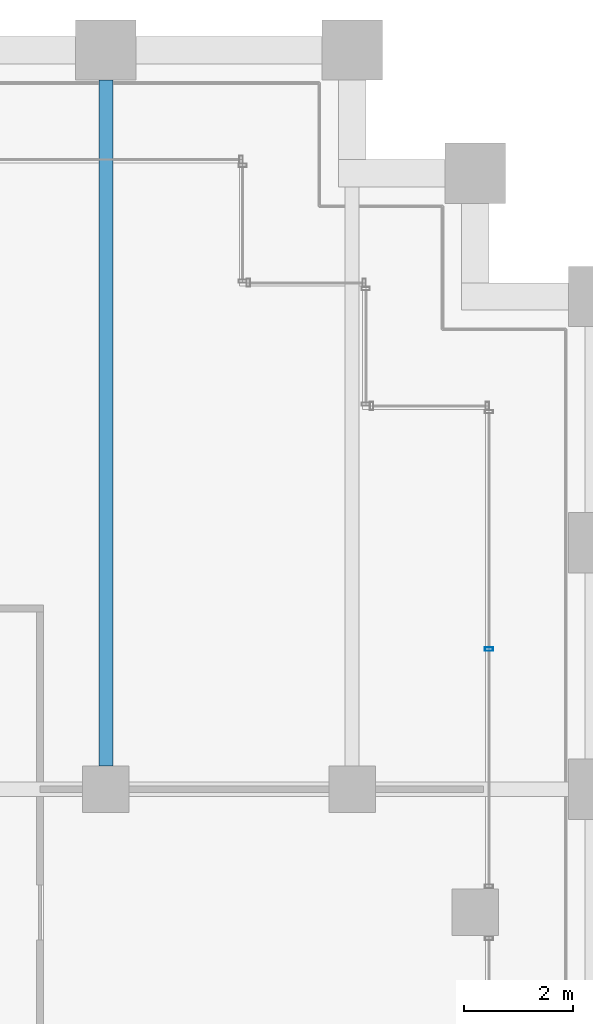
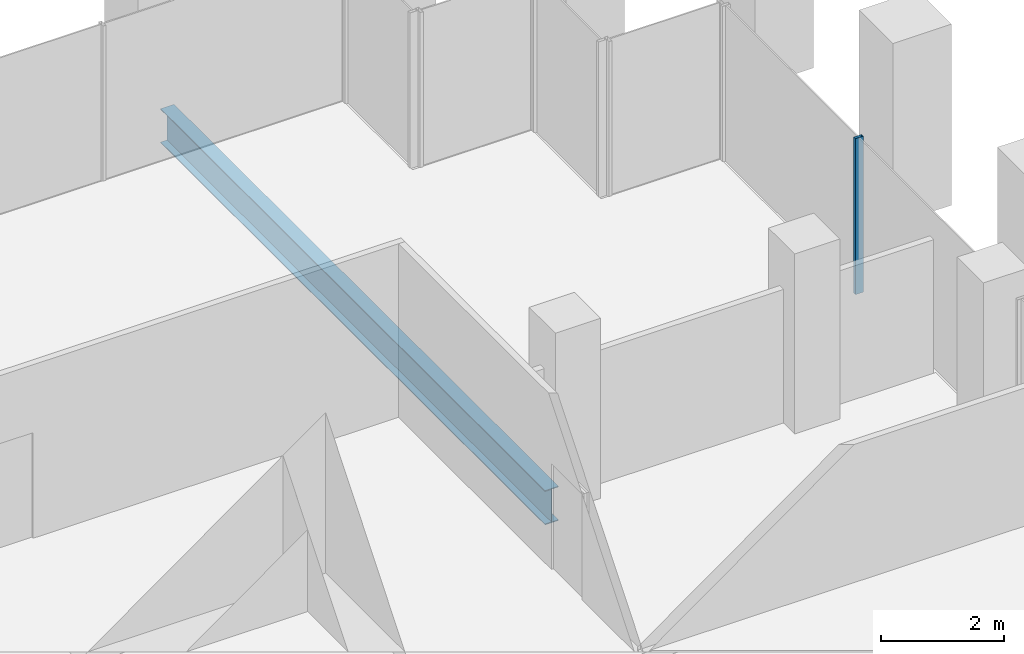
# One storey, part 30 of 56: 1 beam, 1 member, 1 element without a shape of its own.
"""IFC4 building model written with IfcOpenShell, lengths in metres."""

from ifc_helpers import new_model, si_unit, direction, frame, origin, origin_2d, place, context, subcontext, project, spatial, hollow_rectangle, i_section, extrude, material, material_profile, profile_set, type_object, element, aggregate, save


model = new_model("IFC4")

# Units and contexts
model_context = context("Model", 3, precision=1e-05, world=origin(), true_north=direction((0.0, 1.0)))
body_context = subcontext(model_context, "Body", "Model", "MODEL_VIEW")
ifc_project = project(units=[si_unit("LENGTHUNIT", "METRE"), si_unit("AREAUNIT", "SQUARE_METRE"), si_unit("VOLUMEUNIT", "CUBIC_METRE"), si_unit("PLANEANGLEUNIT", "RADIAN"), si_unit("MASSUNIT", "GRAM", prefix="KILO")], contexts=[model_context])

# Site, building, storey
site_placement = place(None, origin())
site = spatial("IfcSite", under=ifc_project, at=site_placement, CompositionType="ELEMENT")
building_placement = place(site_placement, origin())
building = spatial("IfcBuilding", under=site, at=building_placement, Name="Altepetl Exchange Towers", CompositionType="ELEMENT")
storey_placement = place(building_placement, frame((0.0, 0.0, 79.800048828125)))
storey = spatial("IfcBuildingStorey", under=building, at=storey_placement, Name="L19", CompositionType="ELEMENT", Elevation=79.800048828125)

# Beam
ifc_material_1 = material(Name="Steel S355", Category="steel")
ifc_material_profile_1 = material_profile(ifc_material_1, i_section(OverallWidth=0.25390625, OverallDepth=0.68408203125, WebThickness=0.012451171875, FlangeThickness=0.018798828125, at=origin_2d()), Name="W27X94")
ifc_profile_set_1 = profile_set([ifc_material_profile_1], Name="Steel S355")
beam_type = type_object("IfcBeamType", Name="Floor beam W27X94", PredefinedType="BEAM", material=ifc_profile_set_1)
beam_placement = place(storey_placement, frame((63.0, 58.925048828125, -0.491943359375), z_axis=(0.0, 1.0, 0.0), x_axis=(-1.0, 0.0, 0.0)))
element("IfcBeam", 1, at=beam_placement, inside=storey, type_object=beam_type, Name="bm:A:L19:004", PredefinedType="BEAM", context=body_context, shape_type="SweptSolid", body=[
    extrude(i_section(OverallWidth=0.25390625, OverallDepth=0.68408203125, WebThickness=0.012451171875, FlangeThickness=0.018798828125, at=origin_2d()), origin(), (0.0, 0.0, 1.0), 12.52490234375),
])

# Curtain wall, member
ifc_material_2 = material(Name="Aluminium 6063-T6 glazing", Category="aluminium")
curtain_wall_type = type_object("IfcCurtainWallType", Name="Loggia glazing system", PredefinedType="NOTDEFINED", material=ifc_material_2)
curtain_wall_placement = place(storey_placement, origin())
curtain_wall = element("IfcCurtainWall", 2, at=curtain_wall_placement, inside=storey, type_object=curtain_wall_type, Name="CW1 run", PredefinedType="NOTDEFINED")
ifc_material_3 = material(Name="Aluminium 6063-T6", Category="aluminium")
ifc_material_profile_2 = material_profile(ifc_material_3, hollow_rectangle(XDim=0.06005859375, YDim=0.14990234375, WallThickness=0.0029296875, at=origin_2d()), Name="Mullion 60x150 aluminium")
ifc_profile_set_2 = profile_set([ifc_material_profile_2], Name="Aluminium 6063-T6")
member_type = type_object("IfcMemberType", Name="Mullion 60x150 aluminium", PredefinedType="MULLION", material=ifc_profile_set_2)
member_placement = place(storey_placement, frame((70.0, 61.06005859375, 0.0), z_axis=(0.0, 0.0, 1.0), x_axis=(0.0, 1.0, 0.0)))
member = element("IfcMember", 3, at=member_placement, type_object=member_type, Name="MU1 mullion", PredefinedType="MULLION", context=body_context, shape_type="SweptSolid", body=[
    extrude(hollow_rectangle(XDim=0.06005859375, YDim=0.14990234375, WallThickness=0.0029296875, at=origin_2d()), origin(), (0.0, 0.0, 1.0), 3.099853515625),
])
aggregate(curtain_wall, [member])

save(model, "model.ifc")
